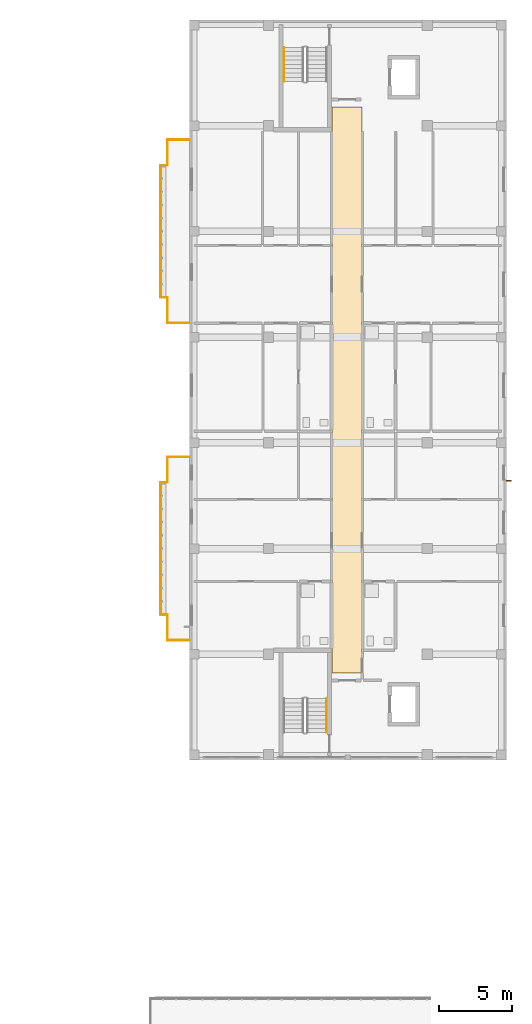
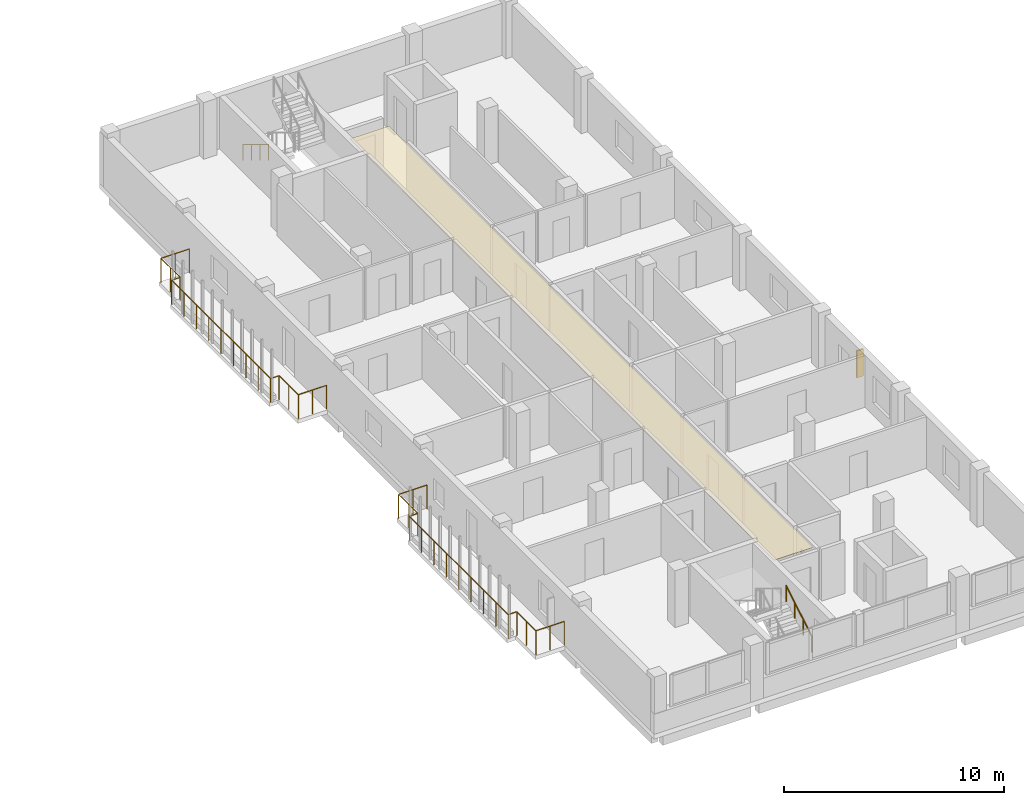
# One storey, part 48 of 51: 4 railings, 1 covering, 1 shading device.
"""IFC4 building model written with IfcOpenShell, lengths in metres."""

import ifcopenshell
import ifcopenshell.guid

model = None  # the IFC model being written
_history = None  # IfcOwnerHistory: only IFC2X3 demands one
_inside = {}  # id of a spatial element -> (the spatial element, [elements in it])
_under = {}  # id of a project, library or spatial element -> (it, [spatial elements below it])
_declared = {}  # id of a project -> (the project, [libraries it declares])
_typed = {}  # id of a type object -> (the type object, [elements of that type])
_made_of = {}  # id of a material, layer set ... -> (it, [elements and type objects made of it])


def new_model(schema):
    """Start an empty IFC model of exactly this schema.

    Asked for "IFC4X3", IfcOpenShell would pick the latest addendum, in which some entities
    have other attributes; the version numbers below select the first issue.
    IFC2X3 requires an IfcOwnerHistory on every rooted entity: one is made here for all.
    """
    global model, _history
    if schema == "IFC4X3":
        model = ifcopenshell.file(schema_version=(4, 3, 0, 0))
    else:
        model = ifcopenshell.file(schema=schema)
    _inside.clear()
    _under.clear()
    _declared.clear()
    _typed.clear()
    _made_of.clear()
    _history = None
    if model.schema == "IFC2X3":
        org = make("IfcOrganization", Name="unknown")
        user = make(
            "IfcPersonAndOrganization",
            ThePerson=make("IfcPerson", FamilyName="unknown"),
            TheOrganization=org,
        )
        app = make(
            "IfcApplication",
            ApplicationDeveloper=org,
            Version="unknown",
            ApplicationFullName="unknown",
            ApplicationIdentifier="unknown",
        )
        _history = make(
            "IfcOwnerHistory",
            OwningUser=user,
            OwningApplication=app,
            ChangeAction="ADDED",
            CreationDate=0,
        )
    return model


def make(cls, **values):
    """One entity of the class cls with the attributes given. An attribute that is None is left unset."""
    return model.create_entity(
        cls, **{name: value for name, value in values.items() if value is not None}
    )


def rooted(cls, **values):
    """An entity with a GlobalId (a new one), such as an element, a storey or a relation."""
    return make(cls, GlobalId=ifcopenshell.guid.new(), OwnerHistory=_history, **values)


def si_unit(unit_type, name, prefix=None):
    """IfcSIUnit, for example si_unit("LENGTHUNIT", "METRE", prefix="MILLI")."""
    return make("IfcSIUnit", UnitType=unit_type, Prefix=prefix, Name=name)


def derived_unit(unit_type, elements):
    """IfcDerivedUnit: a product of units, each with its exponent."""
    return make(
        "IfcDerivedUnit",
        Elements=[
            make("IfcDerivedUnitElement", Unit=unit, Exponent=power)
            for unit, power in elements
        ],
        UnitType=unit_type,
    )


def assignment(units):
    """IfcUnitAssignment: the units of a project."""
    return None if units is None else make("IfcUnitAssignment", Units=units)


def point(xyz):
    """IfcCartesianPoint."""
    return None if xyz is None else make("IfcCartesianPoint", Coordinates=xyz)


def direction(xyz):
    """IfcDirection."""
    return None if xyz is None else make("IfcDirection", DirectionRatios=xyz)


def frame(location, z_axis=None, x_axis=None):
    """IfcAxis2Placement3D, a coordinate frame: its origin and axes. An axis left out is left unset."""
    return make(
        "IfcAxis2Placement3D",
        Location=point(location),
        Axis=direction(z_axis),
        RefDirection=direction(x_axis),
    )


def frame_2d(location, x_axis=None):
    """IfcAxis2Placement2D, a coordinate frame in the plane: its origin and x axis."""
    return make(
        "IfcAxis2Placement2D", Location=point(location), RefDirection=direction(x_axis)
    )


def origin():
    """The frame at (0, 0, 0) with its axes left unset."""
    return frame((0.0, 0.0, 0.0))


def origin_2d():
    """The frame at (0, 0) in the plane with its x axis left unset."""
    return frame_2d((0.0, 0.0))


def place(relative_to, where):
    """IfcLocalPlacement: puts the frame where relative to a parent placement (None: the world)."""
    return make(
        "IfcLocalPlacement", PlacementRelTo=relative_to, RelativePlacement=where
    )


def context(
    kind, dimensions, precision=None, world=None, true_north=None, identifier=None
):
    """IfcGeometricRepresentationContext, for example the 3D "Model" context."""
    return make(
        "IfcGeometricRepresentationContext",
        ContextIdentifier=identifier,
        ContextType=kind,
        CoordinateSpaceDimension=dimensions,
        Precision=precision,
        WorldCoordinateSystem=world,
        TrueNorth=true_north,
    )


def subcontext(parent, identifier, kind, view, scale=None):
    """IfcGeometricRepresentationSubContext, for example "Body" below "Model"."""
    return make(
        "IfcGeometricRepresentationSubContext",
        ContextIdentifier=identifier,
        ContextType=kind,
        ParentContext=parent,
        TargetScale=scale,
        TargetView=view,
    )


def project(units=None, contexts=None):
    """IfcProject with its units and contexts."""
    return rooted(
        "IfcProject",
        Name="project",
        RepresentationContexts=contexts,
        UnitsInContext=assignment(units),
    )


def spatial(cls, under=None, at=None, **own):
    """A site, building, storey or space (cls), placed at a placement, below another one or the project."""
    s = rooted(cls, ObjectPlacement=at, **own)
    if under is not None:
        _under.setdefault(under.id(), (under, []))[1].append(s)
    return s


def polyline(points):
    """IfcPolyline through the points."""
    return make("IfcPolyline", Points=[point(p) for p in points])


def profile(cls, at=None, kind="AREA", **sizes):
    """A parametric profile (cls). Its sizes go by their IFC names, for example OverallWidth=200.0."""
    return make(cls, ProfileType=kind, Position=at, **sizes)


def rectangle(**sizes):
    """IfcRectangleProfileDef."""
    return profile("IfcRectangleProfileDef", **sizes)


def circle(**sizes):
    """IfcCircleProfileDef."""
    return profile("IfcCircleProfileDef", **sizes)


def outline(outer, holes=None, kind="AREA"):
    """IfcArbitraryClosedProfileDef: a profile drawn as a closed curve; with holes, ...WithVoids."""
    if holes is None:
        return make("IfcArbitraryClosedProfileDef", ProfileType=kind, OuterCurve=outer)
    return make(
        "IfcArbitraryProfileDefWithVoids",
        ProfileType=kind,
        OuterCurve=outer,
        InnerCurves=holes,
    )


def extrude(swept, where, along, depth):
    """IfcExtrudedAreaSolid: the profile swept, set in the frame where, extruded along a direction by depth."""
    return make(
        "IfcExtrudedAreaSolid",
        SweptArea=swept,
        Position=where,
        ExtrudedDirection=direction(along),
        Depth=depth,
    )


def shape(context_of_items, identifier, shape_type, items):
    """IfcShapeRepresentation: the items that make up one representation, for example the "Body"."""
    return make(
        "IfcShapeRepresentation",
        ContextOfItems=context_of_items,
        RepresentationIdentifier=identifier,
        RepresentationType=shape_type,
        Items=items,
    )


def material(Name=None, Category=None):
    """IfcMaterial."""
    return make("IfcMaterial", Name=Name, Category=Category)


def layer(
    of_material, thickness, ventilated=None, Name=None, Category=None, Priority=None
):
    """IfcMaterialLayer: one layer of a wall or slab, of a material (None: an air gap)."""
    return make(
        "IfcMaterialLayer",
        Material=of_material,
        LayerThickness=thickness,
        IsVentilated=ventilated,
        Name=Name,
        Category=Category,
        Priority=Priority,
    )


def layer_set(layers, Name=None):
    """IfcMaterialLayerSet."""
    return make("IfcMaterialLayerSet", MaterialLayers=layers, LayerSetName=Name)


def made_of(thing, what):
    """Note that an element or type object is made of a material, layer set ...; save() writes the relation."""
    if what is not None:
        _made_of.setdefault(what.id(), (what, []))[1].append(thing)
    return thing


def type_object(cls, material=None, **own):
    """A type object (cls), such as IfcWallType, which elements share."""
    return made_of(rooted(cls, **own), material)


def element(
    cls,
    number,
    at=None,
    inside=None,
    cuts=None,
    type_object=None,
    material=None,
    context=None,
    identifier="Body",
    shape_type=None,
    held_by="IfcProductDefinitionShape",
    body=None,
    shapes=None,
    **own,
):
    """One element of the class cls, such as IfcWall. Its Tag is "e" and its number.

    at: its placement. inside: the storey or other place that contains it. cuts: it is an
    opening in that element (IfcRelVoidsElement). A single representation is given by context,
    identifier, shape_type and body (its items); several are given by shapes. held_by: the class
    of the entity that holds the representations. save() writes the other relations.
    """
    e = rooted(cls, Tag="e%d" % number, ObjectPlacement=at, **own)
    if body is not None:
        shapes = [shape(context, identifier, shape_type, body)]
    if shapes is not None:
        e.Representation = make(held_by, Representations=shapes)
    if inside is not None:
        _inside.setdefault(inside.id(), (inside, []))[1].append(e)
    if cuts is not None:
        rooted(
            "IfcRelVoidsElement", RelatingBuildingElement=cuts, RelatedOpeningElement=e
        )
    if type_object is not None:
        _typed.setdefault(type_object.id(), (type_object, []))[1].append(e)
    return made_of(e, material)


def aggregate(whole, parts):
    """IfcRelAggregates: a whole, such as a stair, and the parts it consists of."""
    return rooted("IfcRelAggregates", RelatingObject=whole, RelatedObjects=parts)


def save(model, path):
    """Write the relations noted so far, then the file.

    IfcRelAggregates (storeys below a building ...), IfcRelContainedInSpatialStructure (elements
    in a storey), IfcRelDefinesByType, IfcRelAssociatesMaterial and IfcRelDeclares: one each for
    every whole, place, type object, material and project.
    """
    for whole, parts in _under.values():
        aggregate(whole, parts)
    for where, things in _inside.values():
        rooted(
            "IfcRelContainedInSpatialStructure",
            RelatedElements=things,
            RelatingStructure=where,
        )
    for kind, things in _typed.values():
        rooted("IfcRelDefinesByType", RelatedObjects=things, RelatingType=kind)
    for what, things in _made_of.values():
        rooted("IfcRelAssociatesMaterial", RelatedObjects=things, RelatingMaterial=what)
    for by, libraries in _declared.values():
        rooted("IfcRelDeclares", RelatingContext=by, RelatedDefinitions=libraries)
    model.write(path)


model = new_model("IFC4")

# Units and contexts
model_context = context("Model", 3, precision=1e-05, world=origin(), true_north=direction((0.0, 1.0)))
body_context = subcontext(model_context, "Body", "Model", "MODEL_VIEW")
ifc_project = project(units=[si_unit("LENGTHUNIT", "METRE"), si_unit("AREAUNIT", "SQUARE_METRE"), si_unit("VOLUMEUNIT", "CUBIC_METRE"), si_unit("PLANEANGLEUNIT", "RADIAN"), si_unit("MASSUNIT", "GRAM", prefix="KILO"), derived_unit("THERMALTRANSMITTANCEUNIT", [(si_unit("MASSUNIT", "GRAM", prefix="KILO"), 1), (si_unit("TIMEUNIT", "SECOND"), -3), (si_unit("THERMODYNAMICTEMPERATUREUNIT", "KELVIN"), -1)])], contexts=[model_context])

# Site, building, storey
site_placement = place(None, origin())
site = spatial("IfcSite", under=ifc_project, at=site_placement, CompositionType="ELEMENT")
building_placement = place(site_placement, origin())
building = spatial("IfcBuilding", under=site, at=building_placement, Name="Ochrekiln Boulevard Commons", CompositionType="ELEMENT")
storey_placement = place(building_placement, frame((0.0, 0.0, 15.22509765625)))
storey = spatial("IfcBuildingStorey", under=building, at=storey_placement, Name="L04", CompositionType="ELEMENT", Elevation=15.22509765625)

# Covering
ifc_material_1 = material(Name="Mineral-fibre acoustic ceiling tile")
ifc_layer = layer(ifc_material_1, 0.02490234375)
ifc_layer_set = layer_set([ifc_layer], Name="Mineral-fibre acoustic ceiling tile")
covering_type = type_object("IfcCoveringType", Name="COV-CEIL-AC", PredefinedType="CEILING", material=ifc_layer_set)
covering_placement = place(storey_placement, frame((0.0, 0.0, 2.64990234375)))
element("IfcCovering", 1, at=covering_placement, inside=storey, type_object=covering_type, Name="L04 Acoustic Corridor Ceiling 44", PredefinedType="CEILING", context=body_context, shape_type="SweptSolid", body=[
    extrude(outline(polyline([(160.919921875, 74.320068359375), (162.97998046875, 74.320068359375), (162.97998046875, 112.8798828125), (160.919921875, 112.8798828125), (160.919921875, 74.320068359375)])), origin(), (0.0, 0.0, 1.0), 0.02490234375),
])

# Railings
ifc_material_2 = material(Name="Bronze-anodized extruded aluminium 6063-T6", Category="aluminium")
railing_type_1 = type_object("IfcRailingType", Name="RLG-BAL-1350", PredefinedType="BALUSTRADE", material=ifc_material_2)
railing_1_placement = place(storey_placement, frame((151.199951171875, 76.56005859375, 0.0)))
element("IfcRailing", 2, at=railing_1_placement, inside=storey, type_object=railing_type_1, Name="Block B L04 Balcony Guard Balustrade 1", PredefinedType="BALUSTRADE", context=body_context, shape_type="SweptSolid", body=[
    extrude(circle(Radius=0.02392578125, at=origin_2d()), frame((0.0, 0.0, 1.326171875), z_axis=(-1.0, 0.0, 0.0), x_axis=(0.0, -1.0, 0.0)), (0.0, 0.0, 1.0), 1.489990234375),
    extrude(circle(Radius=0.02392578125, at=origin_2d()), frame((-1.489990234375, 0.0, 1.326171875), z_axis=(0.0, 1.0, 0.0), x_axis=(-1.0, 0.0, 0.0)), (0.0, 0.0, 1.0), 1.739990234375),
    extrude(circle(Radius=0.02392578125, at=origin_2d()), frame((-1.489990234375, 1.739990234375, 1.326171875), z_axis=(-1.0, 0.0, 0.0), x_axis=(0.0, -1.0, 0.0)), (0.0, 0.0, 1.0), 0.449951171875),
    extrude(circle(Radius=0.02392578125, at=origin_2d()), frame((-1.93994140625, 1.739990234375, 1.326171875), z_axis=(0.0, 1.0, 0.0), x_axis=(-1.0, 0.0, 0.0)), (0.0, 0.0, 1.0), 9.0),
    extrude(circle(Radius=0.02392578125, at=origin_2d()), frame((-1.93994140625, 10.739990234375, 1.326171875), z_axis=(1.0, 0.0, 0.0), x_axis=(0.0, 1.0, 0.0)), (0.0, 0.0, 1.0), 0.449951171875),
    extrude(circle(Radius=0.02392578125, at=origin_2d()), frame((-1.489990234375, 10.739990234375, 1.326171875), z_axis=(0.0, 1.0, 0.0), x_axis=(-1.0, 0.0, 0.0)), (0.0, 0.0, 1.0), 1.739990234375),
    extrude(circle(Radius=0.02392578125, at=origin_2d()), frame((-1.489990234375, 12.47998046875, 1.326171875), z_axis=(1.0, 0.0, 0.0), x_axis=(0.0, 1.0, 0.0)), (0.0, 0.0, 1.0), 1.489990234375),
    extrude(circle(Radius=0.02099609375, at=origin_2d()), origin(), (0.0, 0.0, 1.0), 1.302001953125),
    extrude(circle(Radius=0.02099609375, at=origin_2d()), frame((-0.7451171875, 0.0, 0.0)), (0.0, 0.0, 1.0), 1.302001953125),
    extrude(circle(Radius=0.02099609375, at=origin_2d()), frame((-1.489990234375, 0.0, 0.0)), (0.0, 0.0, 1.0), 1.302001953125),
    extrude(circle(Radius=0.02099609375, at=origin_2d()), frame((-1.489990234375, 0.8701171875, 0.0)), (0.0, 0.0, 1.0), 1.302001953125),
    extrude(circle(Radius=0.02099609375, at=origin_2d()), frame((-1.489990234375, 1.739990234375, 0.0)), (0.0, 0.0, 1.0), 1.302001953125),
    extrude(circle(Radius=0.02099609375, at=origin_2d()), frame((-1.93994140625, 1.739990234375, 0.0)), (0.0, 0.0, 1.0), 1.302001953125),
    extrude(circle(Radius=0.02099609375, at=origin_2d()), frame((-1.93994140625, 2.864990234375, 0.0)), (0.0, 0.0, 1.0), 1.302001953125),
    extrude(circle(Radius=0.02099609375, at=origin_2d()), frame((-1.93994140625, 3.989990234375, 0.0)), (0.0, 0.0, 1.0), 1.302001953125),
    extrude(circle(Radius=0.02099609375, at=origin_2d()), frame((-1.93994140625, 5.114990234375, 0.0)), (0.0, 0.0, 1.0), 1.302001953125),
    extrude(circle(Radius=0.02099609375, at=origin_2d()), frame((-1.93994140625, 6.239990234375, 0.0)), (0.0, 0.0, 1.0), 1.302001953125),
    extrude(circle(Radius=0.02099609375, at=origin_2d()), frame((-1.93994140625, 7.364990234375, 0.0)), (0.0, 0.0, 1.0), 1.302001953125),
    extrude(circle(Radius=0.02099609375, at=origin_2d()), frame((-1.93994140625, 8.489990234375, 0.0)), (0.0, 0.0, 1.0), 1.302001953125),
    extrude(circle(Radius=0.02099609375, at=origin_2d()), frame((-1.93994140625, 9.614990234375, 0.0)), (0.0, 0.0, 1.0), 1.302001953125),
    extrude(circle(Radius=0.02099609375, at=origin_2d()), frame((-1.93994140625, 10.739990234375, 0.0)), (0.0, 0.0, 1.0), 1.302001953125),
    extrude(circle(Radius=0.02099609375, at=origin_2d()), frame((-1.489990234375, 10.739990234375, 0.0)), (0.0, 0.0, 1.0), 1.302001953125),
    extrude(circle(Radius=0.02099609375, at=origin_2d()), frame((-1.489990234375, 11.60986328125, 0.0)), (0.0, 0.0, 1.0), 1.302001953125),
    extrude(circle(Radius=0.02099609375, at=origin_2d()), frame((-1.489990234375, 12.47998046875, 0.0)), (0.0, 0.0, 1.0), 1.302001953125),
    extrude(circle(Radius=0.02099609375, at=origin_2d()), frame((-0.7451171875, 12.47998046875, 0.0)), (0.0, 0.0, 1.0), 1.302001953125),
    extrude(circle(Radius=0.02099609375, at=origin_2d()), frame((0.0, 12.47998046875, 0.0)), (0.0, 0.0, 1.0), 1.302001953125),
])
railing_2_placement = place(storey_placement, frame((151.199951171875, 98.159912109375, 0.0)))
element("IfcRailing", 3, at=railing_2_placement, inside=storey, type_object=railing_type_1, Name="Block B L04 Balcony Guard Balustrade 2", PredefinedType="BALUSTRADE", context=body_context, shape_type="SweptSolid", body=[
    extrude(circle(Radius=0.02392578125, at=origin_2d()), frame((0.0, 0.0, 1.326171875), z_axis=(-1.0, 0.0, 0.0), x_axis=(0.0, -1.0, 0.0)), (0.0, 0.0, 1.0), 1.489990234375),
    extrude(circle(Radius=0.02392578125, at=origin_2d()), frame((-1.489990234375, 0.0, 1.326171875), z_axis=(0.0, 1.0, 0.0), x_axis=(-1.0, 0.0, 0.0)), (0.0, 0.0, 1.0), 1.739990234375),
    extrude(circle(Radius=0.02392578125, at=origin_2d()), frame((-1.489990234375, 1.739990234375, 1.326171875), z_axis=(-1.0, 0.0, 0.0), x_axis=(0.0, -1.0, 0.0)), (0.0, 0.0, 1.0), 0.449951171875),
    extrude(circle(Radius=0.02392578125, at=origin_2d()), frame((-1.93994140625, 1.739990234375, 1.326171875), z_axis=(0.0, 1.0, 0.0), x_axis=(-1.0, 0.0, 0.0)), (0.0, 0.0, 1.0), 9.0),
    extrude(circle(Radius=0.02392578125, at=origin_2d()), frame((-1.93994140625, 10.739990234375, 1.326171875), z_axis=(1.0, 0.0, 0.0), x_axis=(0.0, 1.0, 0.0)), (0.0, 0.0, 1.0), 0.449951171875),
    extrude(circle(Radius=0.02392578125, at=origin_2d()), frame((-1.489990234375, 10.739990234375, 1.326171875), z_axis=(0.0, 1.0, 0.0), x_axis=(-1.0, 0.0, 0.0)), (0.0, 0.0, 1.0), 1.739990234375),
    extrude(circle(Radius=0.02392578125, at=origin_2d()), frame((-1.489990234375, 12.47998046875, 1.326171875), z_axis=(1.0, 0.0, 0.0), x_axis=(0.0, 1.0, 0.0)), (0.0, 0.0, 1.0), 1.489990234375),
    extrude(circle(Radius=0.02099609375, at=origin_2d()), origin(), (0.0, 0.0, 1.0), 1.302001953125),
    extrude(circle(Radius=0.02099609375, at=origin_2d()), frame((-0.7451171875, 0.0, 0.0)), (0.0, 0.0, 1.0), 1.302001953125),
    extrude(circle(Radius=0.02099609375, at=origin_2d()), frame((-1.489990234375, 0.0, 0.0)), (0.0, 0.0, 1.0), 1.302001953125),
    extrude(circle(Radius=0.02099609375, at=origin_2d()), frame((-1.489990234375, 0.8701171875, 0.0)), (0.0, 0.0, 1.0), 1.302001953125),
    extrude(circle(Radius=0.02099609375, at=origin_2d()), frame((-1.489990234375, 1.739990234375, 0.0)), (0.0, 0.0, 1.0), 1.302001953125),
    extrude(circle(Radius=0.02099609375, at=origin_2d()), frame((-1.93994140625, 1.739990234375, 0.0)), (0.0, 0.0, 1.0), 1.302001953125),
    extrude(circle(Radius=0.02099609375, at=origin_2d()), frame((-1.93994140625, 2.864990234375, 0.0)), (0.0, 0.0, 1.0), 1.302001953125),
    extrude(circle(Radius=0.02099609375, at=origin_2d()), frame((-1.93994140625, 3.989990234375, 0.0)), (0.0, 0.0, 1.0), 1.302001953125),
    extrude(circle(Radius=0.02099609375, at=origin_2d()), frame((-1.93994140625, 5.114990234375, 0.0)), (0.0, 0.0, 1.0), 1.302001953125),
    extrude(circle(Radius=0.02099609375, at=origin_2d()), frame((-1.93994140625, 6.239990234375, 0.0)), (0.0, 0.0, 1.0), 1.302001953125),
    extrude(circle(Radius=0.02099609375, at=origin_2d()), frame((-1.93994140625, 7.364990234375, 0.0)), (0.0, 0.0, 1.0), 1.302001953125),
    extrude(circle(Radius=0.02099609375, at=origin_2d()), frame((-1.93994140625, 8.489990234375, 0.0)), (0.0, 0.0, 1.0), 1.302001953125),
    extrude(circle(Radius=0.02099609375, at=origin_2d()), frame((-1.93994140625, 9.614990234375, 0.0)), (0.0, 0.0, 1.0), 1.302001953125),
    extrude(circle(Radius=0.02099609375, at=origin_2d()), frame((-1.93994140625, 10.739990234375, 0.0)), (0.0, 0.0, 1.0), 1.302001953125),
    extrude(circle(Radius=0.02099609375, at=origin_2d()), frame((-1.489990234375, 10.739990234375, 0.0)), (0.0, 0.0, 1.0), 1.302001953125),
    extrude(circle(Radius=0.02099609375, at=origin_2d()), frame((-1.489990234375, 11.60986328125, 0.0)), (0.0, 0.0, 1.0), 1.302001953125),
    extrude(circle(Radius=0.02099609375, at=origin_2d()), frame((-1.489990234375, 12.47998046875, 0.0)), (0.0, 0.0, 1.0), 1.302001953125),
    extrude(circle(Radius=0.02099609375, at=origin_2d()), frame((-0.7451171875, 12.47998046875, 0.0)), (0.0, 0.0, 1.0), 1.302001953125),
    extrude(circle(Radius=0.02099609375, at=origin_2d()), frame((0.0, 12.47998046875, 0.0)), (0.0, 0.0, 1.0), 1.302001953125),
])
ifc_material_3 = material(Name="Brushed stainless steel 316 tubular railing", Category="steel")
railing_type_2 = type_object("IfcRailingType", Name="RLG-HDR-900", PredefinedType="HANDRAIL", material=ifc_material_3)
railing_3_placement = place(storey_placement, frame((160.550048828125, 70.27001953125, 0.1748046875)))
element("IfcRailing", 4, at=railing_3_placement, inside=storey, type_object=railing_type_2, Name="L04 ST-B1 stair handrail 1", PredefinedType="HANDRAIL", context=body_context, shape_type="SweptSolid", body=[
    extrude(circle(Radius=0.02392578125, at=origin_2d()), frame((0.0, 0.0, 0.8759765625), z_axis=(0.0, 0.856170481923, 0.516693435108), x_axis=(-1.0, 0.0, 0.0)), (0.0, 0.0, 1.0), 2.709716796875),
    extrude(circle(Radius=0.02099609375, at=origin_2d()), origin(), (0.0, 0.0, 1.0), 0.851806640625),
    extrude(circle(Radius=0.02099609375, at=origin_2d()), frame((0.0, 0.7734375, 0.466796875)), (0.0, 0.0, 1.0), 0.851806640625),
    extrude(circle(Radius=0.02099609375, at=origin_2d()), frame((0.0, 1.546630859375, 0.933349609375)), (0.0, 0.0, 1.0), 0.851806640625),
    extrude(circle(Radius=0.02099609375, at=origin_2d()), frame((0.0, 2.320068359375, 1.400146484375)), (0.0, 0.0, 1.0), 0.851806640625),
])
railing_4_placement = place(storey_placement, frame((157.64990234375, 116.929931640625, 0.1748046875)))
element("IfcRailing", 5, at=railing_4_placement, inside=storey, type_object=railing_type_2, Name="L04 ST-B2 stair handrail 1", PredefinedType="HANDRAIL", context=body_context, shape_type="SweptSolid", body=[
    extrude(circle(Radius=0.02392578125, at=origin_2d()), frame((0.0, 0.0, 0.8759765625), z_axis=(0.0, -0.856146426353, 0.516733293531), x_axis=(1.0, 0.0, 0.0)), (0.0, 0.0, 1.0), 2.709716796875),
    extrude(circle(Radius=0.02099609375, at=origin_2d()), origin(), (0.0, 0.0, 1.0), 0.851806640625),
    extrude(circle(Radius=0.02099609375, at=origin_2d()), frame((0.0, -0.773193359375, 0.466796875)), (0.0, 0.0, 1.0), 0.851806640625),
    extrude(circle(Radius=0.02099609375, at=origin_2d()), frame((0.0, -1.546630859375, 0.933349609375)), (0.0, 0.0, 1.0), 0.851806640625),
    extrude(circle(Radius=0.02099609375, at=origin_2d()), frame((0.0, -2.31982421875, 1.400146484375)), (0.0, 0.0, 1.0), 0.851806640625),
])

# Shading device
ifc_material_4 = material(Name="Glazed architectural terracotta ASTM C1405", Category="masonry")
shading_device_type = type_object("IfcShadingDeviceType", Name="SHD-FIN-TERRA", PredefinedType="JALOUSIE", material=ifc_material_4)
shading_device_placement = place(storey_placement, frame((172.969970703125, 87.419921875, 0.699951171875), z_axis=(0.0, 0.0, 1.0), x_axis=(1.0, 0.0, 0.0)))
element("IfcShadingDevice", 6, at=shading_device_placement, inside=storey, type_object=shading_device_type, Name="Terracotta Solar Shading Fin SF-01 (35)", PredefinedType="JALOUSIE", context=body_context, shape_type="SweptSolid", body=[
    extrude(rectangle(XDim=0.35009765625, YDim=0.080078125, at=origin_2d()), origin(), (0.0, 0.0, 1.0), 1.5),
])

save(model, "model.ifc")
